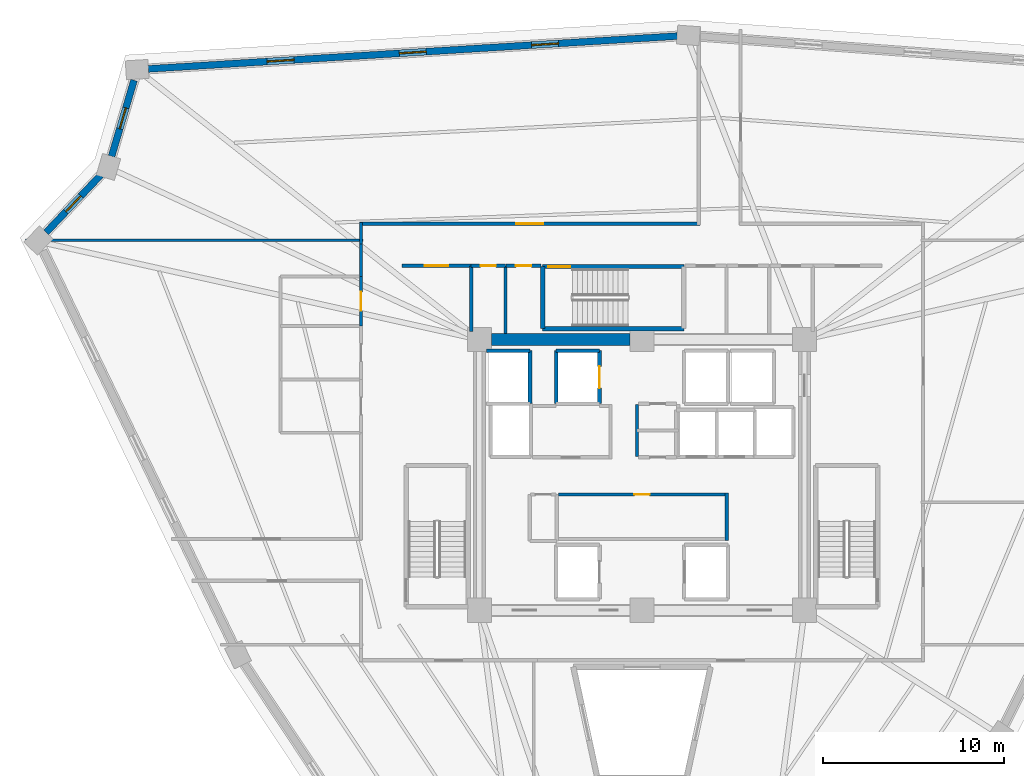
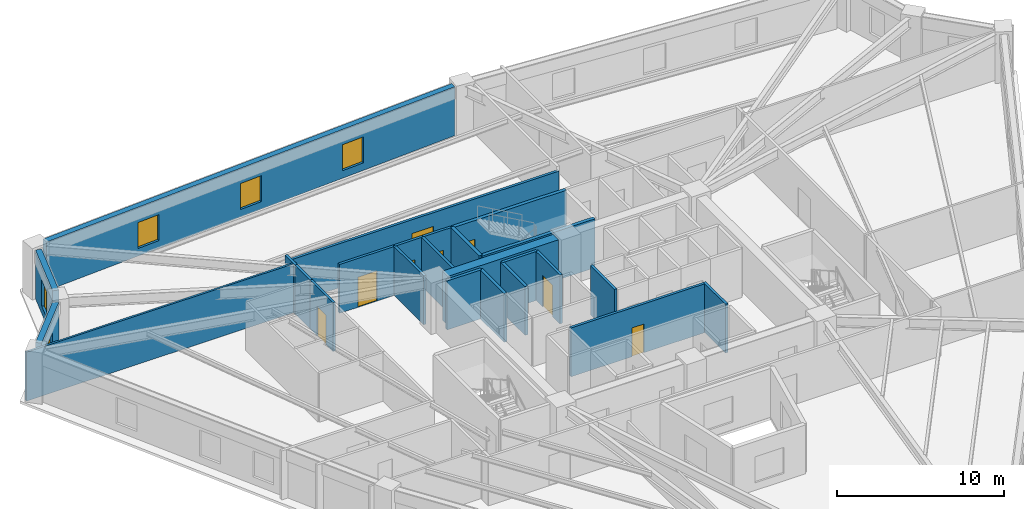
# One storey, part 5 of 8: 25 walls, 8 doors, 5 windows, 13 openings.
"""IFC4 building model written with IfcOpenShell, lengths in metres."""

from ifc_helpers import new_model, si_unit, direction, frame, frame_2d, origin, place, context, subcontext, project, spatial, rectangle, extrude, source, transform, mapped, material, layer, layer_set, type_object, element, fill, save


model = new_model("IFC4")

# Units and contexts
model_context = context("Model", 3, precision=1e-05, world=origin(), true_north=direction((0.0, 1.0)))
body_context = subcontext(model_context, "Body", "Model", "MODEL_VIEW")
ifc_project = project(units=[si_unit("LENGTHUNIT", "METRE"), si_unit("AREAUNIT", "SQUARE_METRE"), si_unit("VOLUMEUNIT", "CUBIC_METRE"), si_unit("PLANEANGLEUNIT", "RADIAN"), si_unit("MASSUNIT", "GRAM", prefix="KILO")], contexts=[model_context])

# Site, building, storey
site_placement = place(None, origin())
site = spatial("IfcSite", under=ifc_project, at=site_placement, CompositionType="ELEMENT")
building_placement = place(site_placement, origin())
building = spatial("IfcBuilding", under=site, at=building_placement, Name="Liaohun Quay Tower", CompositionType="ELEMENT")
storey_placement = place(building_placement, frame((0.0, 0.0, 220.5)))
storey = spatial("IfcBuildingStorey", under=building, at=storey_placement, Name="L57", CompositionType="ELEMENT", Elevation=220.5)

# Wall
ifc_material_1 = material(Name="Concrete C55", Category="concrete")
ifc_layer_1 = layer(ifc_material_1, 0.64990234375, Name="Concrete C55", Category="concrete")
ifc_layer_set_1 = layer_set([ifc_layer_1], Name="Concrete C55")
wall_type_1 = type_object("IfcWallType", Name="WAL-COR-Z3", PredefinedType="SHEAR", material=ifc_layer_set_1)
wall_1_placement = place(storey_placement, frame((51.675048828125, 61.5, 0.0), z_axis=(0.0, 0.0, 1.0), x_axis=(1.0, 0.0, 0.0)))
element("IfcWall", 1, at=wall_1_placement, inside=storey, type_object=wall_type_1, Name="L57 Central Core Shear Wall N-W", PredefinedType="SHEAR", context=body_context, shape_type="SweptSolid", body=[
    extrude(rectangle(XDim=7.64990234375, YDim=0.64990234375, at=frame_2d((3.824951171875, 0.0))), origin(), (0.0, 0.0, 1.0), 3.570068359375),
])

# Wall, openings, windows
ifc_material_2 = material(Name="Precast concrete C50 insulated sandwich", Category="concrete")
ifc_layer_2 = layer(ifc_material_2, 0.3798828125, Name="Precast concrete C50 insulated sandwich", Category="concrete")
ifc_layer_set_2 = layer_set([ifc_layer_2], Name="Precast concrete C50 insulated sandwich")
wall_type_2 = type_object("IfcWallType", Name="WAL-EXT-Z34", PredefinedType="SOLIDWALL", material=ifc_layer_set_2)
wall_2_placement = place(storey_placement, frame((61.955078125, 78.302001953125, 0.0), z_axis=(0.0, 0.0, 1.0), x_axis=(-0.998077357393, -0.061980550656, 0.0)))
wall_2 = element("IfcWall", 2, at=wall_2_placement, inside=storey, type_object=wall_type_2, Name="L57 Brutalist Precast Pier Wall 07", PredefinedType="SOLIDWALL", context=body_context, shape_type="SweptSolid", body=[
    extrude(rectangle(XDim=29.349365234375, YDim=0.3798828125, at=frame_2d((14.6748046875, 0.0))), origin(), (0.0, 0.0, 1.0), 3.570068359375),
])
shared_shape_1 = source(origin(), body_context, "Body", "SweptSolid", [
    extrude(rectangle(XDim=1.5, YDim=1.89990234375, at=frame_2d((0.75, 0.949951171875))), frame((0.0, 0.199951171875, 0.0), z_axis=(0.0, -1.0, 0.0), x_axis=(1.0, 0.0, 0.0)), (0.0, 0.0, 1.0), 0.39990234375),
])
opening_1_placement = place(wall_2_placement, frame((6.5869140625, 0.0, 0.550048828125)))
opening_1 = element("IfcOpeningElement", 3, at=opening_1_placement, cuts=wall_2, Name="Opening W03", PredefinedType="OPENING", context=body_context, shape_type="MappedRepresentation", body=[
    mapped(shared_shape_1, transform((0.0, 0.0, 0.0), x_axis=(1.0, 0.0, 0.0), y_axis=(0.0, 1.0, 0.0), z_axis=(0.0, 0.0, 1.0), scale=1.0)),
])
opening_2_placement = place(wall_2_placement, frame((13.925048828125, 0.0, 0.550048828125)))
opening_2 = element("IfcOpeningElement", 4, at=opening_2_placement, cuts=wall_2, Name="Opening W03", PredefinedType="OPENING", context=body_context, shape_type="MappedRepresentation", body=[
    mapped(shared_shape_1, transform((0.0, 0.0, 0.0), x_axis=(1.0, 0.0, 0.0), y_axis=(0.0, 1.0, 0.0), z_axis=(0.0, 0.0, 1.0), scale=1.0)),
])
opening_3_placement = place(wall_2_placement, frame((21.261962890625, 0.0, 0.550048828125)))
opening_3 = element("IfcOpeningElement", 5, at=opening_3_placement, cuts=wall_2, Name="Opening W03", PredefinedType="OPENING", context=body_context, shape_type="MappedRepresentation", body=[
    mapped(shared_shape_1, transform((0.0, 0.0, 0.0), x_axis=(1.0, 0.0, 0.0), y_axis=(0.0, 1.0, 0.0), z_axis=(0.0, 0.0, 1.0), scale=1.0)),
])
ifc_material_3 = material(Name="Triple Low-E argon glazing in thermally broken aluminium", Category="aluminium")
window_type_1 = type_object("IfcWindowType", Name="WIN-PUN-Z3", PartitioningType="DOUBLE_PANEL_VERTICAL", PredefinedType="WINDOW", material=ifc_material_3)
shared_shape_2 = source(origin(), body_context, "Body", "SweptSolid", [
    extrude(rectangle(XDim=1.5, YDim=1.89990234375, at=frame_2d((0.75, 0.949951171875))), frame((0.0, 0.030029296875, 0.0), z_axis=(0.0, -1.0, 0.0), x_axis=(1.0, 0.0, 0.0)), (0.0, 0.0, 1.0), 0.06005859375),
])
window_1_placement = place(opening_1_placement, origin())
window_1 = element("IfcWindow", 6, at=window_1_placement, inside=storey, type_object=window_type_1, Name="L57 Recessed Cold-Climate Punched Window 07-1", OverallHeight=1.89990234375, OverallWidth=1.5, PartitioningType="DOUBLE_PANEL_VERTICAL", PredefinedType="WINDOW", context=body_context, shape_type="MappedRepresentation", body=[
    mapped(shared_shape_2, transform((0.0, 0.0, 0.0), x_axis=(1.0, 0.0, 0.0), y_axis=(0.0, 1.0, 0.0), z_axis=(0.0, 0.0, 1.0), scale=1.0)),
])
fill(opening_1, window_1)
window_2_placement = place(opening_2_placement, origin())
window_2 = element("IfcWindow", 7, at=window_2_placement, inside=storey, type_object=window_type_1, Name="L57 Recessed Cold-Climate Punched Window 07-2", OverallHeight=1.89990234375, OverallWidth=1.5, PartitioningType="DOUBLE_PANEL_VERTICAL", PredefinedType="WINDOW", context=body_context, shape_type="MappedRepresentation", body=[
    mapped(shared_shape_2, transform((0.0, 0.0, 0.0), x_axis=(1.0, 0.0, 0.0), y_axis=(0.0, 1.0, 0.0), z_axis=(0.0, 0.0, 1.0), scale=1.0)),
])
fill(opening_2, window_2)
window_3_placement = place(opening_3_placement, origin())
window_3 = element("IfcWindow", 8, at=window_3_placement, inside=storey, type_object=window_type_1, Name="L57 Recessed Cold-Climate Punched Window 07-3", OverallHeight=1.89990234375, OverallWidth=1.5, PartitioningType="DOUBLE_PANEL_VERTICAL", PredefinedType="WINDOW", context=body_context, shape_type="MappedRepresentation", body=[
    mapped(shared_shape_2, transform((0.0, 0.0, 0.0), x_axis=(1.0, 0.0, 0.0), y_axis=(0.0, 1.0, 0.0), z_axis=(0.0, 0.0, 1.0), scale=1.0)),
])
fill(opening_3, window_3)

# Wall, opening, window
wall_3_placement = place(storey_placement, frame((31.8740234375, 75.85498046875, 0.0), z_axis=(0.0, 0.0, 1.0), x_axis=(-0.282741477482, -0.959196151426, 0.0)))
wall_3 = element("IfcWall", 9, at=wall_3_placement, inside=storey, type_object=wall_type_2, Name="L57 Brutalist Precast Pier Wall 08", PredefinedType="SOLIDWALL", context=body_context, shape_type="SweptSolid", body=[
    extrude(rectangle(XDim=4.38916015625, YDim=0.3798828125, at=frame_2d((2.194580078125, 0.0))), origin(), (0.0, 0.0, 1.0), 3.570068359375),
])
shared_shape_3 = source(origin(), body_context, "Body", "SweptSolid", [
    extrude(rectangle(XDim=1.199951171875, YDim=1.89990234375, at=frame_2d((0.60009765625, 0.949951171875))), frame((0.0, 0.199951171875, 0.0), z_axis=(0.0, -1.0, 0.0), x_axis=(1.0, 0.0, 0.0)), (0.0, 0.0, 1.0), 0.39990234375),
])
opening_4_placement = place(wall_3_placement, frame((1.594970703125, 0.0, 0.550048828125)))
opening_4 = element("IfcOpeningElement", 10, at=opening_4_placement, cuts=wall_3, Name="Opening W05", PredefinedType="OPENING", context=body_context, shape_type="MappedRepresentation", body=[
    mapped(shared_shape_3, transform((0.0, 0.0, 0.0), x_axis=(1.0, 0.0, 0.0), y_axis=(0.0, 1.0, 0.0), z_axis=(0.0, 0.0, 1.0), scale=1.0)),
])
ifc_material_4 = material(Name="Triple Low-E corner notch glazing", Category="glass")
window_type_2 = type_object("IfcWindowType", Name="WIN-NOTCH", PartitioningType="SINGLE_PANEL", PredefinedType="WINDOW", material=ifc_material_4)
shared_shape_4 = source(origin(), body_context, "Body", "SweptSolid", [
    extrude(rectangle(XDim=1.199951171875, YDim=1.89990234375, at=frame_2d((0.60009765625, 0.949951171875))), frame((0.0, 0.030029296875, 0.0), z_axis=(0.0, -1.0, 0.0), x_axis=(1.0, 0.0, 0.0)), (0.0, 0.0, 1.0), 0.06005859375),
])
window_4_placement = place(opening_4_placement, origin())
window_4 = element("IfcWindow", 11, at=window_4_placement, inside=storey, type_object=window_type_2, Name="L57 Corner Notch Window W05-08", OverallHeight=1.89990234375, OverallWidth=1.199951171875, PartitioningType="SINGLE_PANEL", PredefinedType="WINDOW", context=body_context, shape_type="MappedRepresentation", body=[
    mapped(shared_shape_4, transform((0.0, 0.0, 0.0), x_axis=(1.0, 0.0, 0.0), y_axis=(0.0, 1.0, 0.0), z_axis=(0.0, 0.0, 1.0), scale=1.0)),
])
fill(opening_4, window_4)

wall_4_placement = place(storey_placement, frame((30.034912109375, 70.60888671875, 0.0), z_axis=(0.0, 0.0, 1.0), x_axis=(-0.689503947634, -0.724281924527, 0.0)))
wall_4 = element("IfcWall", 12, at=wall_4_placement, inside=storey, type_object=wall_type_2, Name="L57 Brutalist Precast Pier Wall 09", PredefinedType="SOLIDWALL", context=body_context, shape_type="SweptSolid", body=[
    extrude(rectangle(XDim=4.39453125, YDim=0.3798828125, at=frame_2d((2.197265625, 0.0))), origin(), (0.0, 0.0, 1.0), 3.570068359375),
])
opening_5_placement = place(wall_4_placement, frame((1.596923828125, 0.0, 0.550048828125)))
opening_5 = element("IfcOpeningElement", 13, at=opening_5_placement, cuts=wall_4, Name="Opening W05", PredefinedType="OPENING", context=body_context, shape_type="MappedRepresentation", body=[
    mapped(shared_shape_3, transform((0.0, 0.0, 0.0), x_axis=(1.0, 0.0, 0.0), y_axis=(0.0, 1.0, 0.0), z_axis=(0.0, 0.0, 1.0), scale=1.0)),
])
window_5_placement = place(opening_5_placement, origin())
window_5 = element("IfcWindow", 14, at=window_5_placement, inside=storey, type_object=window_type_2, Name="L57 Corner Notch Window W05-09", OverallHeight=1.89990234375, OverallWidth=1.199951171875, PartitioningType="SINGLE_PANEL", PredefinedType="WINDOW", context=body_context, shape_type="MappedRepresentation", body=[
    mapped(shared_shape_4, transform((0.0, 0.0, 0.0), x_axis=(1.0, 0.0, 0.0), y_axis=(0.0, 1.0, 0.0), z_axis=(0.0, 0.0, 1.0), scale=1.0)),
])
fill(opening_5, window_5)

# Wall, opening, door
ifc_material_5 = material(Name="Autoclaved aerated concrete blockwork", Category="masonry")
ifc_layer_3 = layer(ifc_material_5, 0.179931640625, Name="Autoclaved aerated concrete blockwork", Category="masonry")
ifc_layer_set_3 = layer_set([ifc_layer_3], Name="Autoclaved aerated concrete blockwork")
wall_type_3 = type_object("IfcWallType", Name="WAL-PRT-COR", PredefinedType="PARTITIONING", material=ifc_layer_set_3)
wall_5_placement = place(storey_placement, frame((55.3701171875, 52.919921875, 0.0), z_axis=(0.0, 0.0, 1.0), x_axis=(1.0, 0.0, 0.0)))
wall_5 = element("IfcWall", 15, at=wall_5_placement, inside=storey, type_object=wall_type_3, Name="L57 Interior Partition Wall 001", PredefinedType="PARTITIONING", context=body_context, shape_type="SweptSolid", body=[
    extrude(rectangle(XDim=9.239990234375, YDim=0.179931640625, at=frame_2d((4.6201171875, 0.0))), origin(), (0.0, 0.0, 1.0), 3.570068359375),
])
shared_shape_5 = source(origin(), body_context, "Body", "SweptSolid", [
    extrude(rectangle(XDim=0.85009765625, YDim=2.10009765625, at=frame_2d((0.425048828125, 1.050048828125))), frame((0.0, 0.099853515625, 0.0), z_axis=(0.0, -1.0, 0.0), x_axis=(1.0, 0.0, 0.0)), (0.0, 0.0, 1.0), 0.199951171875),
])
opening_6_placement = place(wall_5_placement, frame((4.205078125, 0.0, 0.0)))
opening_6 = element("IfcOpeningElement", 16, at=opening_6_placement, cuts=wall_5, Name="Opening AD1", PredefinedType="OPENING", context=body_context, shape_type="MappedRepresentation", body=[
    mapped(shared_shape_5, transform((0.0, 0.0, 0.0), x_axis=(1.0, 0.0, 0.0), y_axis=(0.0, 1.0, 0.0), z_axis=(0.0, 0.0, 1.0), scale=1.0)),
])
ifc_material_6 = material(Name="Steel riser inspection fire door", Category="steel")
door_type_1 = type_object("IfcDoorType", Name="DOR-SHF-850", OperationType="NOTDEFINED", PredefinedType="DOOR", material=ifc_material_6)
shared_shape_6 = source(origin(), body_context, "Body", "SweptSolid", [
    extrude(rectangle(XDim=0.85009765625, YDim=2.10009765625, at=frame_2d((0.425048828125, 1.050048828125))), frame((0.0, 0.02490234375, 0.0), z_axis=(0.0, -1.0, 0.0), x_axis=(1.0, 0.0, 0.0)), (0.0, 0.0, 1.0), 0.050048828125),
])
door_1_placement = place(opening_6_placement, origin())
door_1 = element("IfcDoor", 17, at=door_1_placement, inside=storey, type_object=door_type_1, Name="L57 Core Tenant Storage and Archive Room Door", OperationType="SINGLE_SWING_RIGHT", OverallHeight=2.10009765625, OverallWidth=0.85009765625, PredefinedType="DOOR", context=body_context, shape_type="MappedRepresentation", body=[
    mapped(shared_shape_6, transform((0.0, 0.0, 0.0), x_axis=(1.0, 0.0, 0.0), y_axis=(0.0, 1.0, 0.0), z_axis=(0.0, 0.0, 1.0), scale=1.0)),
])
fill(opening_6, door_1)

wall_6_placement = place(storey_placement, frame((50.5400390625, 65.580078125, 0.0), z_axis=(0.0, 0.0, 1.0), x_axis=(1.0, 0.0, 0.0)))
wall_6 = element("IfcWall", 18, at=wall_6_placement, inside=storey, type_object=wall_type_3, Name="L57 Interior Partition Wall 009", PredefinedType="PARTITIONING", context=body_context, shape_type="SweptSolid", body=[
    extrude(rectangle(XDim=1.89990234375, YDim=0.179931640625, at=frame_2d((0.949951171875, 0.0))), origin(), (0.0, 0.0, 1.0), 3.570068359375),
])
opening_7_placement = place(wall_6_placement, frame((0.52490234375, 0.0, 0.0)))
opening_7 = element("IfcOpeningElement", 19, at=opening_7_placement, cuts=wall_6, Name="Opening AD1", PredefinedType="OPENING", context=body_context, shape_type="MappedRepresentation", body=[
    mapped(shared_shape_5, transform((0.0, 0.0, 0.0), x_axis=(1.0, 0.0, 0.0), y_axis=(0.0, 1.0, 0.0), z_axis=(0.0, 0.0, 1.0), scale=1.0)),
])
door_2_placement = place(opening_7_placement, origin())
door_2 = element("IfcDoor", 20, at=door_2_placement, inside=storey, type_object=door_type_1, Name="L57 North-West Riser Closet Door", OperationType="SINGLE_SWING_RIGHT", OverallHeight=2.10009765625, OverallWidth=0.85009765625, PredefinedType="DOOR", context=body_context, shape_type="MappedRepresentation", body=[
    mapped(shared_shape_6, transform((0.0, 0.0, 0.0), x_axis=(1.0, 0.0, 0.0), y_axis=(0.0, 1.0, 0.0), z_axis=(0.0, 0.0, 1.0), scale=1.0)),
])
fill(opening_7, door_2)

wall_7_placement = place(storey_placement, frame((52.47998046875, 65.580078125, 0.0), z_axis=(0.0, 0.0, 1.0), x_axis=(1.0, 0.0, 0.0)))
wall_7 = element("IfcWall", 21, at=wall_7_placement, inside=storey, type_object=wall_type_3, Name="L57 Interior Partition Wall 010", PredefinedType="PARTITIONING", context=body_context, shape_type="SweptSolid", body=[
    extrude(rectangle(XDim=1.929931640625, YDim=0.179931640625, at=frame_2d((0.96484375, 0.0))), origin(), (0.0, 0.0, 1.0), 3.570068359375),
])
opening_8_placement = place(wall_7_placement, frame((0.5400390625, 0.0, 0.0)))
opening_8 = element("IfcOpeningElement", 22, at=opening_8_placement, cuts=wall_7, Name="Opening AD1", PredefinedType="OPENING", context=body_context, shape_type="MappedRepresentation", body=[
    mapped(shared_shape_5, transform((0.0, 0.0, 0.0), x_axis=(1.0, 0.0, 0.0), y_axis=(0.0, 1.0, 0.0), z_axis=(0.0, 0.0, 1.0), scale=1.0)),
])
door_3_placement = place(opening_8_placement, origin())
door_3 = element("IfcDoor", 23, at=door_3_placement, inside=storey, type_object=door_type_1, Name="L57 North-West Print Closet Door", OperationType="SINGLE_SWING_LEFT", OverallHeight=2.10009765625, OverallWidth=0.85009765625, PredefinedType="DOOR", context=body_context, shape_type="MappedRepresentation", body=[
    mapped(shared_shape_6, transform((0.0, 0.0, 0.0), x_axis=(1.0, 0.0, 0.0), y_axis=(0.0, 1.0, 0.0), z_axis=(0.0, 0.0, 1.0), scale=1.0)),
])
fill(opening_8, door_3)

wall_8_placement = place(storey_placement, frame((46.699951171875, 65.580078125, 0.0), z_axis=(0.0, 0.0, 1.0), x_axis=(1.0, 0.0, 0.0)))
wall_8 = element("IfcWall", 24, at=wall_8_placement, inside=storey, type_object=wall_type_3, Name="L57 Interior Partition Wall 014", PredefinedType="PARTITIONING", context=body_context, shape_type="SweptSolid", body=[
    extrude(rectangle(XDim=3.840087890625, YDim=0.179931640625, at=frame_2d((1.919921875, 0.0))), origin(), (0.0, 0.0, 1.0), 3.570068359375),
])
shared_shape_7 = source(origin(), body_context, "Body", "SweptSolid", [
    extrude(rectangle(XDim=1.300048828125, YDim=2.199951171875, at=frame_2d((0.64990234375, 1.10009765625))), frame((0.0, 0.099853515625, 0.0), z_axis=(0.0, -1.0, 0.0), x_axis=(1.0, 0.0, 0.0)), (0.0, 0.0, 1.0), 0.199951171875),
])
opening_9_placement = place(wall_8_placement, frame((1.27001953125, 0.0, 0.0)))
opening_9 = element("IfcOpeningElement", 25, at=opening_9_placement, cuts=wall_8, Name="Opening FD1", PredefinedType="OPENING", context=body_context, shape_type="MappedRepresentation", body=[
    mapped(shared_shape_7, transform((0.0, 0.0, 0.0), x_axis=(1.0, 0.0, 0.0), y_axis=(0.0, 1.0, 0.0), z_axis=(0.0, 0.0, 1.0), scale=1.0)),
])
ifc_material_7 = material(Name="Galvanised steel smokeproof fire door", Category="steel")
door_type_2 = type_object("IfcDoorType", Name="DOR-FFL-1300", OperationType="NOTDEFINED", PredefinedType="DOOR", material=ifc_material_7)
shared_shape_8 = source(origin(), body_context, "Body", "SweptSolid", [
    extrude(rectangle(XDim=1.300048828125, YDim=2.199951171875, at=frame_2d((0.64990234375, 1.10009765625))), frame((0.0, 0.02490234375, 0.0), z_axis=(0.0, -1.0, 0.0), x_axis=(1.0, 0.0, 0.0)), (0.0, 0.0, 1.0), 0.050048828125),
])
door_4_placement = place(opening_9_placement, origin())
door_4 = element("IfcDoor", 26, at=door_4_placement, inside=storey, type_object=door_type_2, Name="L57 West Core Vestibule Door", OperationType="SINGLE_SWING_LEFT", OverallHeight=2.199951171875, OverallWidth=1.300048828125, PredefinedType="DOOR", context=body_context, shape_type="MappedRepresentation", body=[
    mapped(shared_shape_8, transform((0.0, 0.0, 0.0), x_axis=(1.0, 0.0, 0.0), y_axis=(0.0, 1.0, 0.0), z_axis=(0.0, 0.0, 1.0), scale=1.0)),
])
fill(opening_9, door_4)

wall_9_placement = place(storey_placement, frame((44.3701171875, 67.909912109375, 0.0), z_axis=(0.0, 0.0, 1.0), x_axis=(1.0, 0.0, 0.0)))
wall_9 = element("IfcWall", 27, at=wall_9_placement, inside=storey, type_object=wall_type_3, Name="L57 Interior Partition Wall 018", PredefinedType="PARTITIONING", context=body_context, shape_type="SweptSolid", body=[
    extrude(rectangle(XDim=18.83984375, YDim=0.179931640625, at=frame_2d((9.419921875, 0.0))), origin(), (0.0, 0.0, 1.0), 3.205078125),
])
shared_shape_9 = source(origin(), body_context, "Body", "SweptSolid", [
    extrude(rectangle(XDim=1.5, YDim=2.199951171875, at=frame_2d((0.75, 1.10009765625))), frame((0.0, 0.099853515625, 0.0), z_axis=(0.0, -1.0, 0.0), x_axis=(1.0, 0.0, 0.0)), (0.0, 0.0, 1.0), 0.199951171875),
])
opening_10_placement = place(wall_9_placement, frame((8.669921875, 0.0, 0.0)))
opening_10 = element("IfcOpeningElement", 28, at=opening_10_placement, cuts=wall_9, Name="Opening OD2", PredefinedType="OPENING", context=body_context, shape_type="MappedRepresentation", body=[
    mapped(shared_shape_9, transform((0.0, 0.0, 0.0), x_axis=(1.0, 0.0, 0.0), y_axis=(0.0, 1.0, 0.0), z_axis=(0.0, 0.0, 1.0), scale=1.0)),
])
ifc_material_8 = material(Name="Acoustic oak veneer double door")
door_type_3 = type_object("IfcDoorType", Name="DOR-OFF-1500", OperationType="DOUBLE_DOOR_SINGLE_SWING", PredefinedType="DOOR", material=ifc_material_8)
shared_shape_10 = source(origin(), body_context, "Body", "SweptSolid", [
    extrude(rectangle(XDim=1.5, YDim=2.199951171875, at=frame_2d((0.75, 1.10009765625))), frame((0.0, 0.02490234375, 0.0), z_axis=(0.0, -1.0, 0.0), x_axis=(1.0, 0.0, 0.0)), (0.0, 0.0, 1.0), 0.050048828125),
])
door_5_placement = place(opening_10_placement, origin())
door_5 = element("IfcDoor", 29, at=door_5_placement, inside=storey, type_object=door_type_3, Name="L57 Staff Daycare Nursery 03 Door", OperationType="DOUBLE_DOOR_SINGLE_SWING", OverallHeight=2.199951171875, OverallWidth=1.5, PredefinedType="DOOR", context=body_context, shape_type="MappedRepresentation", body=[
    mapped(shared_shape_10, transform((0.0, 0.0, 0.0), x_axis=(1.0, 0.0, 0.0), y_axis=(0.0, 1.0, 0.0), z_axis=(0.0, 0.0, 1.0), scale=1.0)),
])
fill(opening_10, door_5)

# Walls
wall_10_placement = place(storey_placement, frame((59.719970703125, 55.02001953125, 0.0), z_axis=(0.0, 0.0, 1.0), x_axis=(0.0, 1.0, 0.0)))
element("IfcWall", 30, at=wall_10_placement, inside=storey, type_object=wall_type_3, Name="L57 Interior Partition Wall 024", PredefinedType="PARTITIONING", context=body_context, shape_type="SweptSolid", body=[
    extrude(rectangle(XDim=2.8798828125, YDim=0.179931640625, at=frame_2d((1.43994140625, 0.0))), origin(), (0.0, 0.0, 1.0), 3.570068359375),
])
wall_11_placement = place(storey_placement, frame((50.5400390625, 61.949951171875, 0.0), z_axis=(0.0, 0.0, 1.0), x_axis=(0.0, 1.0, 0.0)))
element("IfcWall", 31, at=wall_11_placement, inside=storey, type_object=wall_type_3, Name="L57 Interior Partition Wall 035", PredefinedType="PARTITIONING", context=body_context, shape_type="SweptSolid", body=[
    extrude(rectangle(XDim=3.630126953125, YDim=0.179931640625, at=frame_2d((1.81494140625, 0.0))), origin(), (0.0, 0.0, 1.0), 3.570068359375),
])
wall_12_placement = place(storey_placement, frame((52.43994140625, 61.824951171875, 0.0), z_axis=(0.0, 0.0, 1.0), x_axis=(0.0, 1.0, 0.0)))
element("IfcWall", 32, at=wall_12_placement, inside=storey, type_object=wall_type_3, Name="L57 Interior Partition Wall 036", PredefinedType="PARTITIONING", context=body_context, shape_type="SweptSolid", body=[
    extrude(rectangle(XDim=3.755126953125, YDim=0.179931640625, at=frame_2d((1.87744140625, 0.0))), origin(), (0.0, 0.0, 1.0), 3.570068359375),
])
wall_13_placement = place(storey_placement, frame((44.43994140625, 66.784912109375, 0.0), z_axis=(0.0, 0.0, 1.0), x_axis=(0.0, 1.0, 0.0)))
element("IfcWall", 33, at=wall_13_placement, inside=storey, type_object=wall_type_3, Name="L57 Interior Partition Wall 043", PredefinedType="PARTITIONING", context=body_context, shape_type="SweptSolid", body=[
    extrude(rectangle(XDim=1.195068359375, YDim=0.179931640625, at=frame_2d((0.59765625, 0.0))), origin(), (0.0, 0.0, 1.0), 3.570068359375),
])
wall_14_placement = place(storey_placement, frame((44.43994140625, 64.97998046875, 0.0), z_axis=(0.0, 0.0, 1.0), x_axis=(0.0, 1.0, 0.0)))
element("IfcWall", 34, at=wall_14_placement, inside=storey, type_object=wall_type_3, Name="L57 Interior Partition Wall 045", PredefinedType="PARTITIONING", context=body_context, shape_type="SweptSolid", body=[
    extrude(rectangle(XDim=1.804931640625, YDim=0.179931640625, at=frame_2d((0.90234375, 0.0))), origin(), (0.0, 0.0, 1.0), 3.570068359375),
])
wall_15_placement = place(storey_placement, frame((64.699951171875, 50.360107421875, 0.0), z_axis=(0.0, 0.0, 1.0), x_axis=(0.0, 1.0, 0.0)))
element("IfcWall", 35, at=wall_15_placement, inside=storey, type_object=wall_type_3, Name="L57 Interior Partition Wall 055", PredefinedType="PARTITIONING", context=body_context, shape_type="SweptSolid", body=[
    extrude(rectangle(XDim=2.64990234375, YDim=0.179931640625, at=frame_2d((1.324951171875, 0.0))), origin(), (0.0, 0.0, 1.0), 3.570068359375),
])
ifc_material_9 = material(Name="Gypsum board on twin steel studs", Category="steel")
ifc_layer_4 = layer(ifc_material_9, 0.139892578125, Name="Gypsum board on twin steel studs", Category="steel")
ifc_layer_set_4 = layer_set([ifc_layer_4], Name="Gypsum board on twin steel studs")
wall_type_4 = type_object("IfcWallType", Name="WAL-PRT-OFF", PredefinedType="PARTITIONING", material=ifc_layer_set_4)
wall_16_placement = place(storey_placement, frame((44.5400390625, 67.0, 0.0), z_axis=(0.0, 0.0, 1.0), x_axis=(-1.0, 0.0, 0.0)))
element("IfcWall", 36, at=wall_16_placement, inside=storey, type_object=wall_type_4, Name="L57 Interior Partition Wall 050", PredefinedType="PARTITIONING", context=body_context, shape_type="SweptSolid", body=[
    extrude(rectangle(XDim=18.66796875, YDim=0.139892578125, at=frame_2d((9.333984375, 0.0))), origin(), (0.0, 0.0, 1.0), 3.570068359375),
])

# Wall, opening, door
ifc_material_10 = material(Name="Moisture-resistant masonry blockwork", Category="masonry")
ifc_layer_5 = layer(ifc_material_10, 0.159912109375, Name="Moisture-resistant masonry blockwork", Category="masonry")
ifc_layer_set_5 = layer_set([ifc_layer_5], Name="Moisture-resistant masonry blockwork")
wall_type_5 = type_object("IfcWallType", Name="WAL-PRT-WET", PredefinedType="PARTITIONING", material=ifc_layer_set_5)
wall_17_placement = place(storey_placement, frame((44.43994140625, 62.239990234375, 0.0), z_axis=(0.0, 0.0, 1.0), x_axis=(0.0, 1.0, 0.0)))
wall_17 = element("IfcWall", 37, at=wall_17_placement, inside=storey, type_object=wall_type_5, Name="L57 Interior Partition Wall 008", PredefinedType="PARTITIONING", context=body_context, shape_type="SweptSolid", body=[
    extrude(rectangle(XDim=2.739990234375, YDim=0.159912109375, at=frame_2d((1.3701171875, 0.0))), origin(), (0.0, 0.0, 1.0), 3.570068359375),
])
shared_shape_11 = source(origin(), body_context, "Body", "SweptSolid", [
    extrude(rectangle(XDim=1.050048828125, YDim=2.14990234375, at=frame_2d((0.52490234375, 1.074951171875))), frame((0.0, 0.08984375, 0.0), z_axis=(0.0, -1.0, 0.0), x_axis=(1.0, 0.0, 0.0)), (0.0, 0.0, 1.0), 0.179931640625),
])
opening_11_placement = place(wall_17_placement, frame((0.844970703125, 0.0, 0.0)))
opening_11 = element("IfcOpeningElement", 38, at=opening_11_placement, cuts=wall_17, Name="Opening WD2", PredefinedType="OPENING", context=body_context, shape_type="MappedRepresentation", body=[
    mapped(shared_shape_11, transform((0.0, 0.0, 0.0), x_axis=(1.0, 0.0, 0.0), y_axis=(0.0, 1.0, 0.0), z_axis=(0.0, 0.0, 1.0), scale=1.0)),
])
ifc_material_11 = material(Name="Accessible outward-swinging laminate door")
door_type_4 = type_object("IfcDoorType", Name="DOR-AWC-1050", OperationType="NOTDEFINED", PredefinedType="DOOR", material=ifc_material_11)
shared_shape_12 = source(origin(), body_context, "Body", "SweptSolid", [
    extrude(rectangle(XDim=1.050048828125, YDim=2.14990234375, at=frame_2d((0.52490234375, 1.074951171875))), frame((0.0, 0.02490234375, 0.0), z_axis=(0.0, -1.0, 0.0), x_axis=(1.0, 0.0, 0.0)), (0.0, 0.0, 1.0), 0.050048828125),
])
door_6_placement = place(opening_11_placement, origin())
door_6 = element("IfcDoor", 39, at=door_6_placement, inside=storey, type_object=door_type_4, Name="L57 Accessible WC Door", OperationType="SINGLE_SWING_LEFT", OverallHeight=2.14990234375, OverallWidth=1.050048828125, PredefinedType="DOOR", context=body_context, shape_type="MappedRepresentation", body=[
    mapped(shared_shape_12, transform((0.0, 0.0, 0.0), x_axis=(1.0, 0.0, 0.0), y_axis=(0.0, 1.0, 0.0), z_axis=(0.0, 0.0, 1.0), scale=1.0)),
])
fill(opening_11, door_6)

# Wall
ifc_material_12 = material(Name="Concrete C50", Category="concrete")
ifc_layer_6 = layer(ifc_material_12, 0.239990234375, Name="Concrete C50", Category="concrete")
ifc_layer_set_6 = layer_set([ifc_layer_6], Name="Concrete C50")
wall_type_6 = type_object("IfcWallType", Name="WAL-SHF-200", PredefinedType="SOLIDWALL", material=ifc_layer_set_6)
wall_18_placement = place(storey_placement, frame((54.5, 62.10009765625, 0.0), z_axis=(0.0, 0.0, 1.0), x_axis=(1.0, 0.0, 0.0)))
element("IfcWall", 40, at=wall_18_placement, inside=storey, type_object=wall_type_6, Name="L57 Stairwell ST-3 Structural Core Wall S", PredefinedType="SOLIDWALL", context=body_context, shape_type="SweptSolid", body=[
    extrude(rectangle(XDim=7.820068359375, YDim=0.239990234375, at=frame_2d((3.91015625, 0.0))), origin(), (0.0, 0.0, 1.0), 3.570068359375),
])

# Wall, opening, door
wall_19_placement = place(storey_placement, frame((62.320068359375, 65.5400390625, 0.0), z_axis=(0.0, 0.0, 1.0), x_axis=(-1.0, 0.0, 0.0)))
wall_19 = element("IfcWall", 41, at=wall_19_placement, inside=storey, type_object=wall_type_6, Name="L57 Stairwell ST-3 Structural Core Wall N", PredefinedType="SOLIDWALL", context=body_context, shape_type="SweptSolid", body=[
    extrude(rectangle(XDim=7.820068359375, YDim=0.239990234375, at=frame_2d((3.91015625, 0.0))), origin(), (0.0, 0.0, 1.0), 3.570068359375),
])
shared_shape_13 = source(origin(), body_context, "Body", "SweptSolid", [
    extrude(rectangle(XDim=1.199951171875, YDim=2.199951171875, at=frame_2d((0.60009765625, 1.10009765625))), frame((0.0, 0.1298828125, 0.0), z_axis=(0.0, -1.0, 0.0), x_axis=(1.0, 0.0, 0.0)), (0.0, 0.0, 1.0), 0.260009765625),
])
opening_12_placement = place(wall_19_placement, frame((6.300048828125, 0.0, 0.0)))
opening_12 = element("IfcOpeningElement", 42, at=opening_12_placement, cuts=wall_19, Name="Opening SD1", PredefinedType="OPENING", context=body_context, shape_type="MappedRepresentation", body=[
    mapped(shared_shape_13, transform((0.0, 0.0, 0.0), x_axis=(1.0, 0.0, 0.0), y_axis=(0.0, 1.0, 0.0), z_axis=(0.0, 0.0, 1.0), scale=1.0)),
])
ifc_material_13 = material(Name="Galvanised steel fire door", Category="steel")
door_type_5 = type_object("IfcDoorType", Name="DOR-STR-1200", OperationType="NOTDEFINED", PredefinedType="DOOR", material=ifc_material_13)
shared_shape_14 = source(origin(), body_context, "Body", "SweptSolid", [
    extrude(rectangle(XDim=1.199951171875, YDim=2.199951171875, at=frame_2d((0.60009765625, 1.10009765625))), frame((0.0, 0.02490234375, 0.0), z_axis=(0.0, -1.0, 0.0), x_axis=(1.0, 0.0, 0.0)), (0.0, 0.0, 1.0), 0.050048828125),
])
door_7_placement = place(opening_12_placement, origin())
door_7 = element("IfcDoor", 43, at=door_7_placement, inside=storey, type_object=door_type_5, Name="L57 Protected Stair ST-3 Fire Door", OperationType="SINGLE_SWING_RIGHT", OverallHeight=2.199951171875, OverallWidth=1.199951171875, PredefinedType="DOOR", context=body_context, shape_type="MappedRepresentation", body=[
    mapped(shared_shape_14, transform((0.0, 0.0, 0.0), x_axis=(1.0, 0.0, 0.0), y_axis=(0.0, 1.0, 0.0), z_axis=(0.0, 0.0, 1.0), scale=1.0)),
])
fill(opening_12, door_7)

# Wall
wall_20_placement = place(storey_placement, frame((54.5, 65.5400390625, 0.0), z_axis=(0.0, 0.0, 1.0), x_axis=(0.0, -1.0, 0.0)))
element("IfcWall", 44, at=wall_20_placement, inside=storey, type_object=wall_type_6, Name="L57 Stairwell ST-3 Structural Core Wall W", PredefinedType="SOLIDWALL", context=body_context, shape_type="SweptSolid", body=[
    extrude(rectangle(XDim=3.43994140625, YDim=0.239990234375, at=frame_2d((1.719970703125, 0.0))), origin(), (0.0, 0.0, 1.0), 3.570068359375),
])

# Wall, opening, door
wall_21_placement = place(storey_placement, frame((57.64990234375, 57.949951171875, 0.0), z_axis=(0.0, 0.0, 1.0), x_axis=(0.0, 1.0, 0.0)))
wall_21 = element("IfcWall", 45, at=wall_21_placement, inside=storey, type_object=wall_type_6, Name="L57 Lift FF-03 Hoistway Wall E", PredefinedType="SOLIDWALL", context=body_context, shape_type="SweptSolid", body=[
    extrude(rectangle(XDim=2.929931640625, YDim=0.199951171875, at=frame_2d((1.46484375, 0.0))), origin(), (0.0, 0.0, 1.0), 3.570068359375),
])
shared_shape_15 = source(origin(), body_context, "Body", "SweptSolid", [
    extrude(rectangle(XDim=1.199951171875, YDim=2.300048828125, at=frame_2d((0.60009765625, 1.14990234375))), frame((0.0, 0.10986328125, 0.0), z_axis=(0.0, -1.0, 0.0), x_axis=(1.0, 0.0, 0.0)), (0.0, 0.0, 1.0), 0.219970703125),
])
opening_13_placement = place(wall_21_placement, frame((0.864990234375, 0.0, 0.0)))
opening_13 = element("IfcOpeningElement", 46, at=opening_13_placement, cuts=wall_21, Name="Opening LD2", PredefinedType="OPENING", context=body_context, shape_type="MappedRepresentation", body=[
    mapped(shared_shape_15, transform((0.0, 0.0, 0.0), x_axis=(1.0, 0.0, 0.0), y_axis=(0.0, 1.0, 0.0), z_axis=(0.0, 0.0, 1.0), scale=1.0)),
])
ifc_material_14 = material(Name="Brushed stainless steel stretcher landing door", Category="steel")
door_type_6 = type_object("IfcDoorType", Name="DOR-LFT-1200", OperationType="SLIDING_TO_LEFT", PredefinedType="DOOR", material=ifc_material_14)
shared_shape_16 = source(origin(), body_context, "Body", "SweptSolid", [
    extrude(rectangle(XDim=1.199951171875, YDim=2.300048828125, at=frame_2d((0.60009765625, 1.14990234375))), frame((0.0, 0.02490234375, 0.0), z_axis=(0.0, -1.0, 0.0), x_axis=(1.0, 0.0, 0.0)), (0.0, 0.0, 1.0), 0.050048828125),
])
door_8_placement = place(opening_13_placement, origin())
door_8 = element("IfcDoor", 47, at=door_8_placement, inside=storey, type_object=door_type_6, Name="L57 Lift FF-03 Sliding Landing Door", OperationType="SLIDING_TO_LEFT", OverallHeight=2.300048828125, OverallWidth=1.199951171875, PredefinedType="DOOR", context=body_context, shape_type="MappedRepresentation", body=[
    mapped(shared_shape_16, transform((0.0, 0.0, 0.0), x_axis=(1.0, 0.0, 0.0), y_axis=(0.0, 1.0, 0.0), z_axis=(0.0, 0.0, 1.0), scale=1.0)),
])
fill(opening_13, door_8)

# Walls
wall_22_placement = place(storey_placement, frame((57.64990234375, 60.8798828125, 0.0), z_axis=(0.0, 0.0, 1.0), x_axis=(-1.0, 0.0, 0.0)))
element("IfcWall", 48, at=wall_22_placement, inside=storey, type_object=wall_type_6, Name="L57 Lift FF-03 Hoistway Wall N", PredefinedType="SOLIDWALL", context=body_context, shape_type="SweptSolid", body=[
    extrude(rectangle(XDim=2.39990234375, YDim=0.199951171875, at=frame_2d((1.199951171875, 0.0))), origin(), (0.0, 0.0, 1.0), 3.570068359375),
])
for number, where, z_axis, x_axis, name in (
    (49, (55.25, 60.8798828125, 0.0), (0.0, 0.0, 1.0), (0.0, -1.0, 0.0), "L57 Lift FF-03 Hoistway Wall W"),
    (50, (53.800048828125, 57.949951171875, 0.0), (0.0, 0.0, 1.0), (0.0, 1.0, 0.0), "L57 Lift SH-01 Hoistway Wall E"),
):
    element("IfcWall", number, at=place(storey_placement, frame(where, z_axis=z_axis, x_axis=x_axis)), inside=storey, type_object=wall_type_6, Name=name, PredefinedType="SOLIDWALL", context=body_context, shape_type="SweptSolid", body=[
        extrude(rectangle(XDim=2.929931640625, YDim=0.199951171875, at=frame_2d((1.46484375, 0.0))), origin(), (0.0, 0.0, 1.0), 3.570068359375),
    ])
wall_23_placement = place(storey_placement, frame((53.800048828125, 60.8798828125, 0.0), z_axis=(0.0, 0.0, 1.0), x_axis=(-1.0, 0.0, 0.0)))
element("IfcWall", 51, at=wall_23_placement, inside=storey, type_object=wall_type_6, Name="L57 Lift SH-01 Hoistway Wall N", PredefinedType="SOLIDWALL", context=body_context, shape_type="SweptSolid", body=[
    extrude(rectangle(XDim=2.400146484375, YDim=0.199951171875, at=frame_2d((1.2001953125, 0.0))), origin(), (0.0, 0.0, 1.0), 3.570068359375),
])

save(model, "model.ifc")
